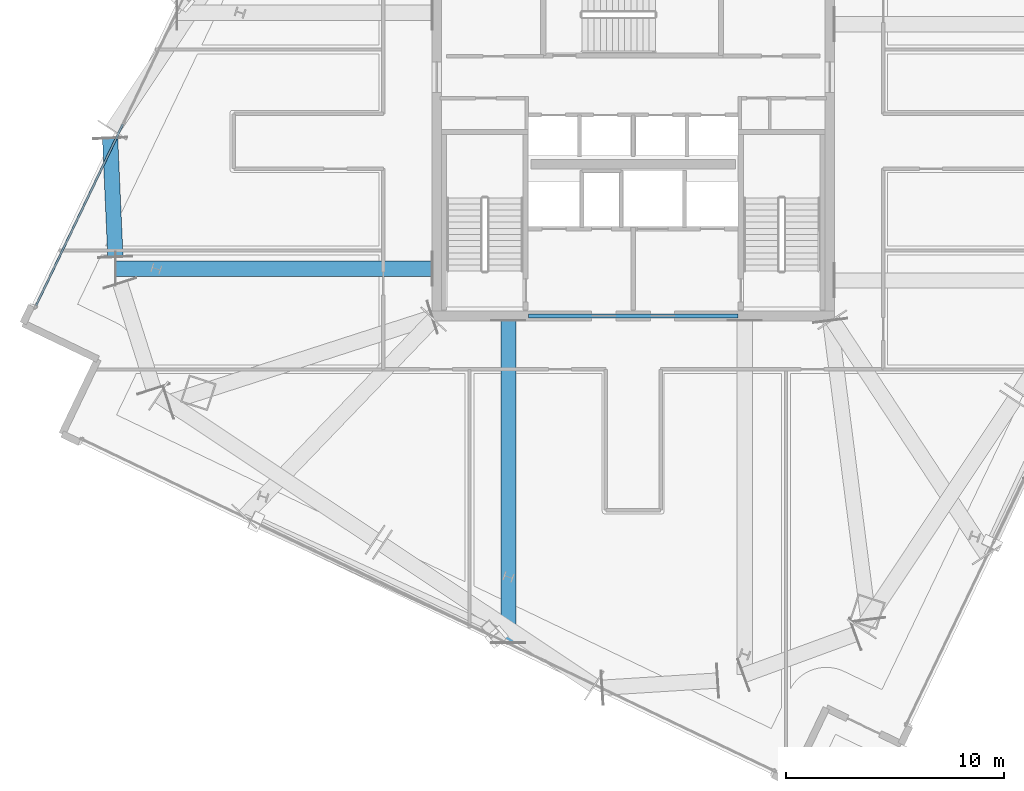
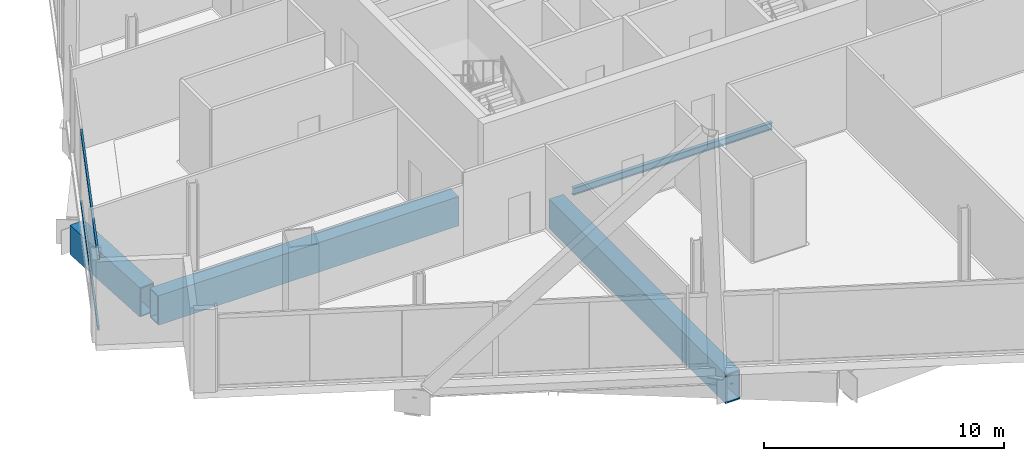
# One storey, part 5 of 24: 4 beams, 2 members, 1 element without a shape of its own.
"""IFC4 building model written with IfcOpenShell, lengths in metres."""

from ifc_helpers import new_model, si_unit, direction, frame, origin, origin_2d, place, context, subcontext, project, spatial, hollow_rectangle, i_section, extrude, material, material_profile, profile_set, type_object, element, aggregate, save


model = new_model("IFC4")

# Units and contexts
model_context = context("Model", 3, precision=1e-05, world=origin(), true_north=direction((0.0, 1.0)))
body_context = subcontext(model_context, "Body", "Model", "MODEL_VIEW")
ifc_project = project(units=[si_unit("LENGTHUNIT", "METRE"), si_unit("AREAUNIT", "SQUARE_METRE"), si_unit("VOLUMEUNIT", "CUBIC_METRE"), si_unit("PLANEANGLEUNIT", "RADIAN"), si_unit("MASSUNIT", "GRAM", prefix="KILO")], contexts=[model_context])

# Site, building, storey
site_placement = place(None, origin())
site = spatial("IfcSite", under=ifc_project, at=site_placement, CompositionType="ELEMENT")
building_placement = place(site_placement, origin())
building = spatial("IfcBuilding", under=site, at=building_placement, Name="Haldenkirk Collegiate Tower", CompositionType="ELEMENT")
storey_placement = place(building_placement, frame((0.0, 0.0, 244.199951171875)))
storey = spatial("IfcBuildingStorey", under=building, at=storey_placement, Name="L61", CompositionType="ELEMENT", Elevation=244.199951171875)

# Beams
ifc_material_1 = material(Name="Steel ASTM A992 Grade 50", Category="steel")
ifc_material_profile_1 = material_profile(ifc_material_1, i_section(OverallWidth=0.1708984375, OverallDepth=0.35595703125, WebThickness=0.007080078125, FlangeThickness=0.01171875, at=origin_2d()), Name="W14X34")
ifc_profile_set_1 = profile_set([ifc_material_profile_1], Name="Steel ASTM A992 Grade 50")
beam_type_1 = type_object("IfcBeamType", Name="BM-LINTEL-W14X34", PredefinedType="LINTEL", material=ifc_profile_set_1)
beam_1_placement = place(storey_placement, frame((31.199951171875, 18.0, -0.577880859375), z_axis=(1.0, 0.0, 0.0), x_axis=(0.0, 1.0, 0.0)))
element("IfcBeam", 1, at=beam_1_placement, inside=storey, type_object=beam_type_1, Name="L61 south core coupling lintel", PredefinedType="LINTEL", context=body_context, shape_type="SweptSolid", body=[
    extrude(i_section(OverallWidth=0.1708984375, OverallDepth=0.35595703125, WebThickness=0.007080078125, FlangeThickness=0.01171875, at=origin_2d()), origin(), (0.0, 0.0, 1.0), 9.60009765625),
])
ifc_material_2 = material(Name="Steel ASTM A572 Grade 50", Category="steel")
ifc_material_profile_2 = material_profile(ifc_material_2, hollow_rectangle(XDim=0.699951171875, YDim=1.5, WallThickness=0.06005859375, at=origin_2d()), Name="BOX1500X700X60")
ifc_profile_set_2 = profile_set([ifc_material_profile_2], Name="Steel ASTM A572 Grade 50")
beam_type_2 = type_object("IfcBeamType", Name="BM-TRANSFER-BOX1500X700X60", PredefinedType="BEAM", material=ifc_profile_set_2)
beam_2_placement = place(storey_placement, frame((12.034912109375, 26.13037109375, -1.14990234375), z_axis=(0.044620526426, -0.999004008311, 0.0), x_axis=(0.999004008311, 0.044620526426, 0.0)))
element("IfcBeam", 2, at=beam_2_placement, inside=storey, type_object=beam_type_2, Name="L61 sky-lobby perimeter transfer girder 12", PredefinedType="BEAM", context=body_context, shape_type="SweptSolid", body=[
    extrude(hollow_rectangle(XDim=0.699951171875, YDim=1.5, WallThickness=0.06005859375, at=origin_2d()), origin(), (0.0, 0.0, 1.0), 5.416748046875),
])
beam_3_placement = place(storey_placement, frame((12.301513671875, 20.157958984375, -1.14990234375), z_axis=(1.0, 0.0, 0.0), x_axis=(0.0, 1.0, 0.0)))
element("IfcBeam", 3, at=beam_3_placement, inside=storey, type_object=beam_type_2, Name="L61 sky-lobby radial transfer girder 13", PredefinedType="BEAM", context=body_context, shape_type="SweptSolid", body=[
    extrude(hollow_rectangle(XDim=0.699951171875, YDim=1.5, WallThickness=0.06005859375, at=origin_2d()), origin(), (0.0, 0.0, 1.0), 14.468505859375),
])
beam_4_placement = place(storey_placement, frame((30.283203125, 3.035888671875, -1.14990234375), z_axis=(0.0, 1.0, 0.0), x_axis=(-1.0, 0.0, 0.0)))
element("IfcBeam", 4, at=beam_4_placement, inside=storey, type_object=beam_type_2, Name="L61 sky-lobby radial transfer girder 15", PredefinedType="BEAM", context=body_context, shape_type="SweptSolid", body=[
    extrude(hollow_rectangle(XDim=0.699951171875, YDim=1.5, WallThickness=0.06005859375, at=origin_2d()), origin(), (0.0, 0.0, 1.0), 14.734130859375),
])

# Curtain wall, members
ifc_material_3 = material(Name="Anodised architectural bronze aluminium", Category="aluminium")
curtain_wall_type = type_object("IfcCurtainWallType", Name="CW-SYS4-SKYGARDEN", PredefinedType="USERDEFINED", material=ifc_material_3)
curtain_wall_placement = place(storey_placement, origin())
curtain_wall = element("IfcCurtainWall", 5, at=curtain_wall_placement, inside=storey, type_object=curtain_wall_type, Name="L61 Sky-garden tall bronze curtain wall", ObjectType="UNITISED CURTAIN WALL", PredefinedType="USERDEFINED")
ifc_material_profile_3 = material_profile(ifc_material_3, hollow_rectangle(XDim=0.090087890625, YDim=0.2099609375, WallThickness=0.0048828125, at=origin_2d()), Name="CW-TRN-04")
ifc_profile_set_3 = profile_set([ifc_material_profile_3], Name="Anodised architectural bronze aluminium")
member_type = type_object("IfcMemberType", Name="CW-TRN-04", PredefinedType="USERDEFINED", material=ifc_profile_set_3)
member_1_placement = place(storey_placement, frame((8.6416015625, 18.47216796875, 0.045166015625), z_axis=(0.432091002178, 0.90183000939, 0.0), x_axis=(-0.90183000939, 0.432091002178, 0.0)))
member_1 = element("IfcMember", 6, at=member_1_placement, type_object=member_type, Name="CW-04 transom 1.1", ObjectType="TRANSOM", PredefinedType="USERDEFINED", context=body_context, shape_type="SweptSolid", body=[
    extrude(hollow_rectangle(XDim=0.090087890625, YDim=0.2099609375, WallThickness=0.0048828125, at=origin_2d()), origin(), (0.0, 0.0, 1.0), 9.21484375),
])
member_2_placement = place(storey_placement, frame((8.6416015625, 18.47216796875, 3.64306640625), z_axis=(0.432091002178, 0.90183000939, 0.0), x_axis=(-0.90183000939, 0.432091002178, 0.0)))
member_2 = element("IfcMember", 7, at=member_2_placement, type_object=member_type, Name="CW-04 transom 1.2", ObjectType="TRANSOM", PredefinedType="USERDEFINED", context=body_context, shape_type="SweptSolid", body=[
    extrude(hollow_rectangle(XDim=0.090087890625, YDim=0.2099609375, WallThickness=0.0048828125, at=origin_2d()), origin(), (0.0, 0.0, 1.0), 9.21484375),
])
aggregate(curtain_wall, [member_1, member_2])

save(model, "model.ifc")
